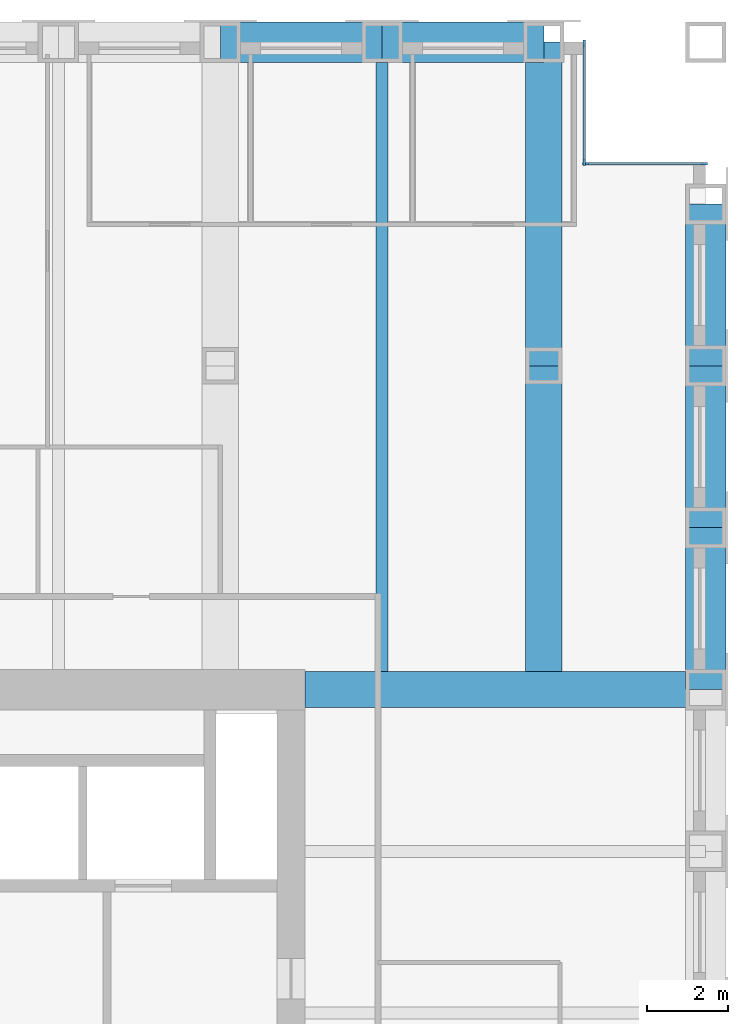
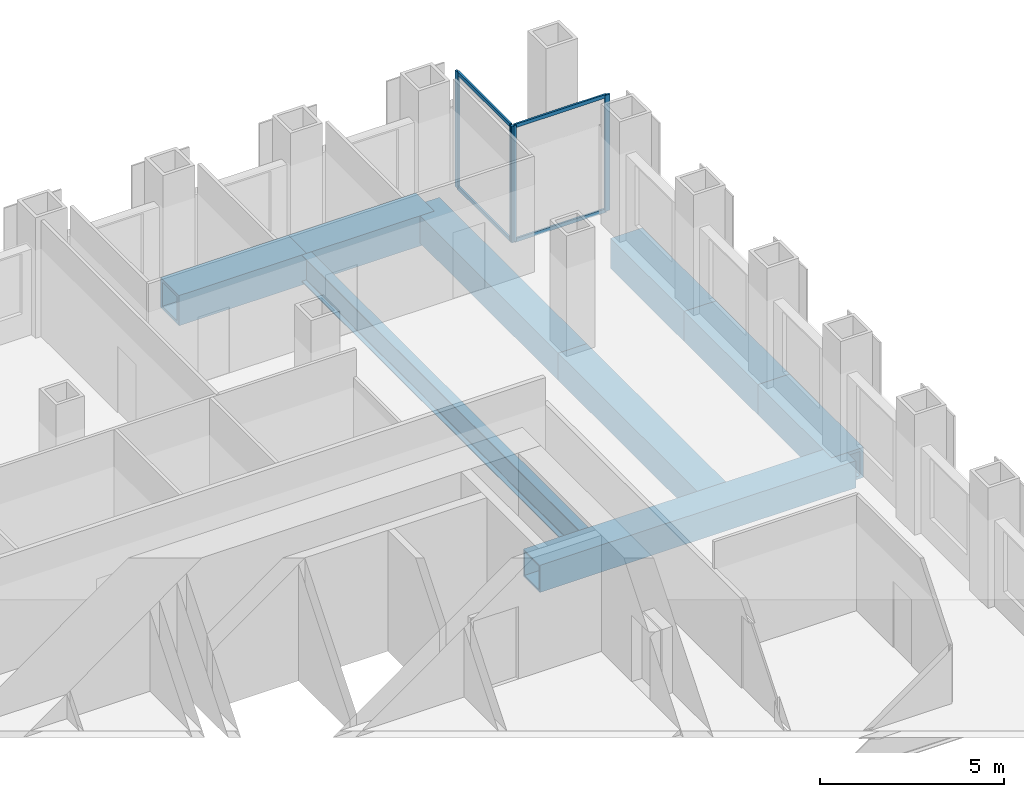
# One storey, part 6 of 12: 9 beams, 8 members, 2 elements without a shape of their own.
"""IFC4 building model written with IfcOpenShell, lengths in metres."""

from ifc_helpers import new_model, si_unit, direction, frame, origin, origin_2d, place, context, subcontext, project, spatial, rectangle, hollow_rectangle, i_section, extrude, material, material_profile, profile_set, type_object, element, aggregate, save


model = new_model("IFC4")

# Units and contexts
model_context = context("Model", 3, precision=1e-05, world=origin(), true_north=direction((0.0, 1.0)))
body_context = subcontext(model_context, "Body", "Model", "MODEL_VIEW")
ifc_project = project(units=[si_unit("LENGTHUNIT", "METRE"), si_unit("AREAUNIT", "SQUARE_METRE"), si_unit("VOLUMEUNIT", "CUBIC_METRE"), si_unit("PLANEANGLEUNIT", "RADIAN"), si_unit("MASSUNIT", "GRAM", prefix="KILO")], contexts=[model_context])

# Site, building, storey
site_placement = place(None, origin())
site = spatial("IfcSite", under=ifc_project, at=site_placement, CompositionType="ELEMENT")
building_placement = place(site_placement, origin())
building = spatial("IfcBuilding", under=site, at=building_placement, Name="Rimbunsela Tower", CompositionType="ELEMENT")
storey_placement = place(building_placement, frame((0.0, 0.0, 163.800048828125)))
storey = spatial("IfcBuildingStorey", under=building, at=storey_placement, Name="L39", CompositionType="ELEMENT", Elevation=163.800048828125)

# Beams
ifc_material_1 = material(Name="Steel BJ 55 (fy 410 MPa)", Category="steel")
ifc_material_profile_1 = material_profile(ifc_material_1, hollow_rectangle(XDim=1.0, YDim=1.0, WallThickness=0.10009765625, at=origin_2d()), Name="BOX 1000x1000x100")
ifc_profile_set_1 = profile_set([ifc_material_profile_1], Name="Steel BJ 55 (fy 410 MPa)")
beam_type_1 = type_object("IfcBeamType", Name="Beam BOX 1000x1000x100", PredefinedType="BEAM", material=ifc_profile_set_1)
for number, where, z_axis, x_axis, name in (
    (1, (34.0, 52.0, -0.650146484375), (1.0, 0.0, 0.0), (0.0, 1.0, 0.0), "Beam B3 L39"),
    (2, (38.0, 52.0, -0.650146484375), (1.0, 0.0, 0.0), (0.0, 1.0, 0.0), "Beam B3 L39"),
    (3, (46.0, 36.0, -0.650146484375), (0.0, 1.0, 0.0), (-1.0, 0.0, 0.0), "Beam B3 L39"),
    (4, (46.0, 40.0, -0.650146484375), (0.0, 1.0, 0.0), (-1.0, 0.0, 0.0), "Beam B3 L39"),
    (5, (46.0, 44.0, -0.650146484375), (0.0, 1.0, 0.0), (-1.0, 0.0, 0.0), "Beam B3 L39"),
):
    element("IfcBeam", number, at=place(storey_placement, frame(where, z_axis=z_axis, x_axis=x_axis)), inside=storey, type_object=beam_type_1, Name=name, PredefinedType="BEAM", context=body_context, shape_type="SweptSolid", body=[
        extrude(hollow_rectangle(XDim=1.0, YDim=1.0, WallThickness=0.10009765625, at=origin_2d()), origin(), (0.0, 0.0, 1.0), 4.0),
    ])
ifc_material_2 = material(Name="Steel BJ 55 (fy 410 MPa)", Category="steel")
ifc_material_profile_2 = material_profile(ifc_material_2, hollow_rectangle(XDim=0.89990234375, YDim=0.89990234375, WallThickness=0.06005859375, at=origin_2d()), Name="BOX 900x900x60")
ifc_profile_set_2 = profile_set([ifc_material_profile_2], Name="Steel BJ 55 (fy 410 MPa)")
beam_type_2 = type_object("IfcBeamType", Name="Beam BOX 900x900x60", PredefinedType="BEAM", material=ifc_profile_set_2)
beam_1_placement = place(storey_placement, frame((36.10009765625, 36.0, -0.60009765625), z_axis=(1.0, 0.0, 0.0), x_axis=(0.0, 1.0, 0.0)))
element("IfcBeam", 6, at=beam_1_placement, inside=storey, type_object=beam_type_2, Name="Beam B1 L39", PredefinedType="BEAM", context=body_context, shape_type="SweptSolid", body=[
    extrude(hollow_rectangle(XDim=0.89990234375, YDim=0.89990234375, WallThickness=0.06005859375, at=origin_2d()), origin(), (0.0, 0.0, 1.0), 9.89990234375),
])
beam_2_placement = place(storey_placement, frame((42.0, 36.449951171875, -0.60009765625), z_axis=(0.0, 1.0, 0.0), x_axis=(-1.0, 0.0, 0.0)))
element("IfcBeam", 7, at=beam_2_placement, inside=storey, type_object=beam_type_2, Name="Beam B1 L39", PredefinedType="BEAM", context=body_context, shape_type="SweptSolid", body=[
    extrude(hollow_rectangle(XDim=0.89990234375, YDim=0.89990234375, WallThickness=0.06005859375, at=origin_2d()), origin(), (0.0, 0.0, 1.0), 7.550048828125),
])
beam_3_placement = place(storey_placement, frame((42.0, 44.0, -0.60009765625), z_axis=(0.0, 1.0, 0.0), x_axis=(-1.0, 0.0, 0.0)))
element("IfcBeam", 8, at=beam_3_placement, inside=storey, type_object=beam_type_2, Name="Beam B1 L39", PredefinedType="BEAM", context=body_context, shape_type="SweptSolid", body=[
    extrude(hollow_rectangle(XDim=0.89990234375, YDim=0.89990234375, WallThickness=0.06005859375, at=origin_2d()), origin(), (0.0, 0.0, 1.0), 8.0),
])
ifc_material_3 = material(Name="Steel BJ 55 (fy 410 MPa)", Category="steel")
ifc_material_profile_3 = material_profile(ifc_material_3, i_section(OverallWidth=0.300048828125, OverallDepth=0.89990234375, WebThickness=0.01611328125, FlangeThickness=0.028076171875, FilletRadius=0.028076171875, at=origin_2d()), Name="H 900x300x16x28")
ifc_profile_set_3 = profile_set([ifc_material_profile_3], Name="Steel BJ 55 (fy 410 MPa)")
beam_type_3 = type_object("IfcBeamType", Name="Beam H 900x300x16x28", PredefinedType="BEAM", material=ifc_profile_set_3)
beam_4_placement = place(storey_placement, frame((38.0, 36.449951171875, -0.60009765625), z_axis=(0.0, 1.0, 0.0), x_axis=(-1.0, 0.0, 0.0)))
element("IfcBeam", 9, at=beam_4_placement, inside=storey, type_object=beam_type_3, Name="Beam B2 L39", PredefinedType="BEAM", context=body_context, shape_type="SweptSolid", body=[
    extrude(i_section(OverallWidth=0.300048828125, OverallDepth=0.89990234375, WebThickness=0.01611328125, FlangeThickness=0.028076171875, FilletRadius=0.028076171875, at=origin_2d()), origin(), (0.0, 0.0, 1.0), 15.550048828125),
])

# Curtain wall, members
ifc_material_4 = material(Name="Aluminium curtain wall", Category="aluminium")
curtain_wall_type = type_object("IfcCurtainWallType", Name="Corner glazing", PredefinedType="USERDEFINED", material=ifc_material_4)
curtain_wall_1_placement = place(storey_placement, origin())
curtain_wall_1 = element("IfcCurtainWall", 10, at=curtain_wall_1_placement, inside=storey, type_object=curtain_wall_type, Name="Corner glazing L39", ObjectType="CORNER GLAZING", PredefinedType="USERDEFINED")
ifc_material_5 = material(Name="Aluminium mullion", Category="aluminium")
ifc_material_profile_4 = material_profile(ifc_material_5, rectangle(XDim=0.06005859375, YDim=0.159912109375, at=origin_2d()), Name="Mullion 60x160")
ifc_profile_set_4 = profile_set([ifc_material_profile_4], Name="Aluminium mullion")
member_type_1 = type_object("IfcMemberType", Name="Curtain wall mullion 60x160", PredefinedType="MULLION", material=ifc_profile_set_4)
member_1_placement = place(storey_placement, frame((45.969970703125, 49.0, 0.0), z_axis=(0.0, 0.0, 1.0), x_axis=(0.0, -1.0, 0.0)))
member_1 = element("IfcMember", 11, at=member_1_placement, type_object=member_type_1, Name="CW5 mullion 1", PredefinedType="MULLION", context=body_context, shape_type="SweptSolid", body=[
    extrude(rectangle(XDim=0.06005859375, YDim=0.159912109375, at=origin_2d()), origin(), (0.0, 0.0, 1.0), 3.849853515625),
])
member_2_placement = place(storey_placement, frame((43.030029296875, 49.0, 0.0), z_axis=(0.0, 0.0, 1.0), x_axis=(0.0, -1.0, 0.0)))
member_2 = element("IfcMember", 12, at=member_2_placement, type_object=member_type_1, Name="CW5 mullion 2", PredefinedType="MULLION", context=body_context, shape_type="SweptSolid", body=[
    extrude(rectangle(XDim=0.06005859375, YDim=0.159912109375, at=origin_2d()), origin(), (0.0, 0.0, 1.0), 3.849853515625),
])

curtain_wall_2_placement = place(storey_placement, origin())
curtain_wall_2 = element("IfcCurtainWall", 13, at=curtain_wall_2_placement, inside=storey, type_object=curtain_wall_type, Name="Corner glazing L39", ObjectType="CORNER GLAZING", PredefinedType="USERDEFINED")
member_3_placement = place(storey_placement, frame((43.0, 49.030029296875, 0.0), z_axis=(0.0, 0.0, 1.0), x_axis=(-1.0, 0.0, 0.0)))
member_3 = element("IfcMember", 14, at=member_3_placement, type_object=member_type_1, Name="CW5 mullion 1", PredefinedType="MULLION", context=body_context, shape_type="SweptSolid", body=[
    extrude(rectangle(XDim=0.06005859375, YDim=0.159912109375, at=origin_2d()), origin(), (0.0, 0.0, 1.0), 3.849853515625),
])
member_4_placement = place(storey_placement, frame((43.0, 51.969970703125, 0.0), z_axis=(0.0, 0.0, 1.0), x_axis=(-1.0, 0.0, 0.0)))
member_4 = element("IfcMember", 15, at=member_4_placement, type_object=member_type_1, Name="CW5 mullion 2", PredefinedType="MULLION", context=body_context, shape_type="SweptSolid", body=[
    extrude(rectangle(XDim=0.06005859375, YDim=0.159912109375, at=origin_2d()), origin(), (0.0, 0.0, 1.0), 3.849853515625),
])

# Member
ifc_material_6 = material(Name="Aluminium transom", Category="aluminium")
ifc_material_profile_5 = material_profile(ifc_material_6, rectangle(XDim=0.06005859375, YDim=0.1201171875, at=origin_2d()), Name="Transom 60x120")
ifc_profile_set_5 = profile_set([ifc_material_profile_5], Name="Aluminium transom")
member_type_2 = type_object("IfcMemberType", Name="Curtain wall transom 60x120", PredefinedType="USERDEFINED", material=ifc_profile_set_5)
member_5_placement = place(storey_placement, frame((45.93994140625, 49.0, 0.030029296875), z_axis=(-1.0, 0.0, 0.0), x_axis=(0.0, -1.0, 0.0)))
member_5 = element("IfcMember", 16, at=member_5_placement, type_object=member_type_2, Name="CW5 transom 1.1", ObjectType="TRANSOM", PredefinedType="USERDEFINED", context=body_context, shape_type="SweptSolid", body=[
    extrude(rectangle(XDim=0.06005859375, YDim=0.1201171875, at=origin_2d()), origin(), (0.0, 0.0, 1.0), 2.8798828125),
])

member_6_placement = place(storey_placement, frame((45.93994140625, 49.0, 3.820068359375), z_axis=(-1.0, 0.0, 0.0), x_axis=(0.0, -1.0, 0.0)))
member_6 = element("IfcMember", 17, at=member_6_placement, type_object=member_type_2, Name="CW5 transom 1.2", ObjectType="TRANSOM", PredefinedType="USERDEFINED", context=body_context, shape_type="SweptSolid", body=[
    extrude(rectangle(XDim=0.06005859375, YDim=0.1201171875, at=origin_2d()), origin(), (0.0, 0.0, 1.0), 2.8798828125),
])

aggregate(curtain_wall_1, [member_1, member_2, member_5, member_6])

member_7_placement = place(storey_placement, frame((43.0, 49.06005859375, 0.030029296875), z_axis=(0.0, 1.0, 0.0), x_axis=(-1.0, 0.0, 0.0)))
member_7 = element("IfcMember", 18, at=member_7_placement, type_object=member_type_2, Name="CW5 transom 1.1", ObjectType="TRANSOM", PredefinedType="USERDEFINED", context=body_context, shape_type="SweptSolid", body=[
    extrude(rectangle(XDim=0.06005859375, YDim=0.1201171875, at=origin_2d()), origin(), (0.0, 0.0, 1.0), 2.8798828125),
])

member_8_placement = place(storey_placement, frame((43.0, 49.06005859375, 3.820068359375), z_axis=(0.0, 1.0, 0.0), x_axis=(-1.0, 0.0, 0.0)))
member_8 = element("IfcMember", 19, at=member_8_placement, type_object=member_type_2, Name="CW5 transom 1.2", ObjectType="TRANSOM", PredefinedType="USERDEFINED", context=body_context, shape_type="SweptSolid", body=[
    extrude(rectangle(XDim=0.06005859375, YDim=0.1201171875, at=origin_2d()), origin(), (0.0, 0.0, 1.0), 2.8798828125),
])

aggregate(curtain_wall_2, [member_3, member_4, member_7, member_8])

save(model, "model.ifc")
